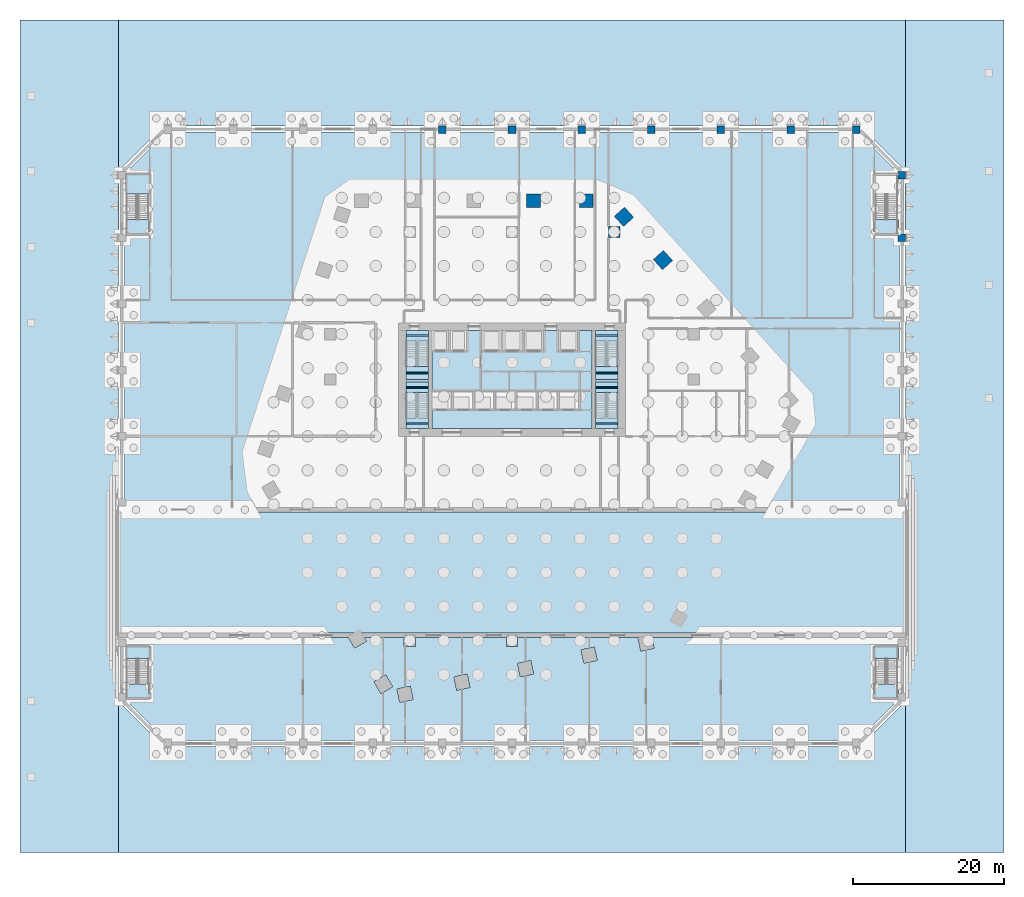
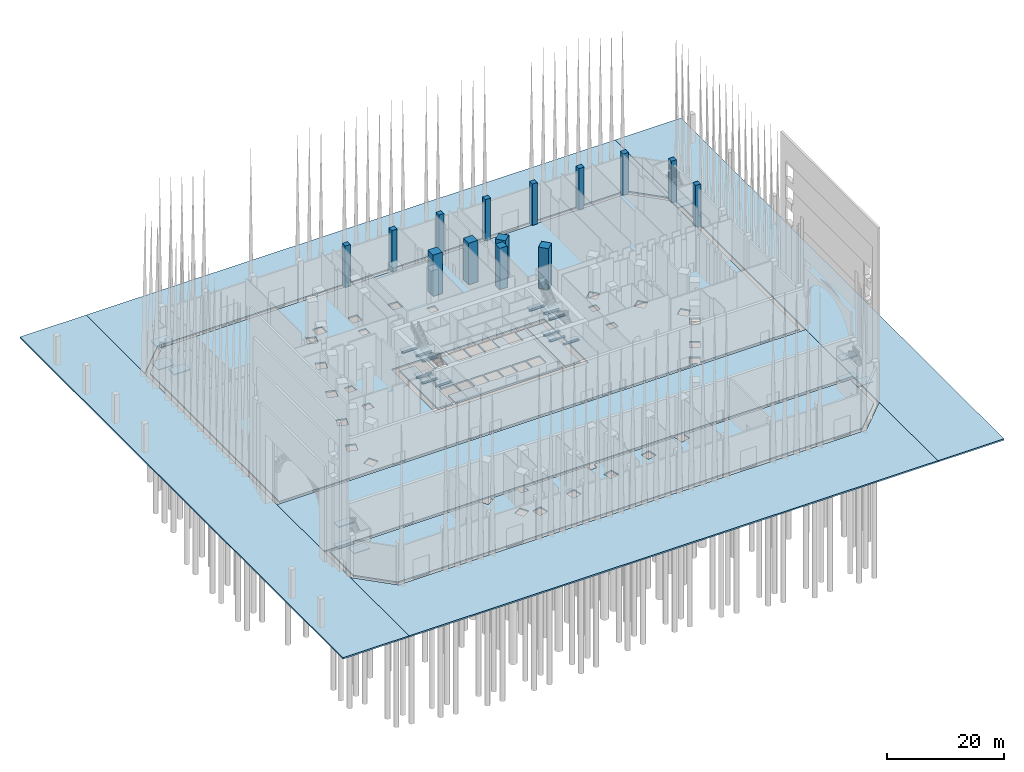
# One storey, part 6 of 32: 32 slabs, 14 columns, 12 beams, 8 elements without a shape of their own.
"""IFC4 building model written with IfcOpenShell, lengths in metres."""

from ifc_helpers import new_model, si_unit, direction, frame, origin, origin_2d, place, context, subcontext, project, spatial, polyline, rectangle, outline, extrude, material, layer, layer_set, material_profile, profile_set, type_object, element, aggregate, save


model = new_model("IFC4")

# Units and contexts
model_context = context("Model", 3, precision=1e-05, world=origin(), true_north=direction((0.0, 1.0)))
body_context = subcontext(model_context, "Body", "Model", "MODEL_VIEW")
ifc_project = project(units=[si_unit("LENGTHUNIT", "METRE"), si_unit("AREAUNIT", "SQUARE_METRE"), si_unit("VOLUMEUNIT", "CUBIC_METRE"), si_unit("PLANEANGLEUNIT", "RADIAN"), si_unit("MASSUNIT", "GRAM", prefix="KILO")], contexts=[model_context])

# Site, building, storey
site_placement = place(None, origin())
site = spatial("IfcSite", under=ifc_project, at=site_placement, CompositionType="ELEMENT")
building_placement = place(site_placement, origin())
building = spatial("IfcBuilding", under=site, at=building_placement, Name="Isthmus Gate Tower", CompositionType="ELEMENT")
storey_placement = place(building_placement, origin())
storey = spatial("IfcBuildingStorey", under=building, at=storey_placement, Name="L00", CompositionType="ELEMENT", Elevation=0.0)

# Columns
ifc_material_1 = material(Name="Concrete f'c 70 MPa", Category="concrete")
ifc_material_profile_1 = material_profile(ifc_material_1, rectangle(XDim=1.5, YDim=1.5, at=origin_2d()), Name="RC 1500X1500")
ifc_profile_set_1 = profile_set([ifc_material_profile_1], Name="Concrete f'c 70 MPa")
column_type_1 = type_object("IfcColumnType", Name="RC INTERIOR COLUMN 1500 X 1500", PredefinedType="COLUMN", material=ifc_profile_set_1)
column_placement = place(storey_placement, frame((13.5, 27.0, -0.300048828125), z_axis=(0.0, 0.0, 1.0), x_axis=(1.0, 0.0, 0.0)))
element("IfcColumn", 1, at=column_placement, inside=storey, type_object=column_type_1, Name="str-icol-L00-ICD5", PredefinedType="COLUMN", context=body_context, shape_type="SweptSolid", body=[
    extrude(rectangle(XDim=1.5, YDim=1.5, at=origin_2d()), origin(), (0.0, 0.0, 1.0), 8.900146484375),
])
ifc_material_2 = material(Name="Concrete f'c 70 MPa", Category="concrete")
ifc_material_profile_2 = material_profile(ifc_material_2, rectangle(XDim=1.0, YDim=1.0, at=origin_2d()), Name="RC 1000X1000")
ifc_profile_set_2 = profile_set([ifc_material_profile_2], Name="Concrete f'c 70 MPa")
column_type_2 = type_object("IfcColumnType", Name="RC PODIUM COLUMN 1000 X 1000", PredefinedType="COLUMN", material=ifc_profile_set_2)
for number, where, z_axis, x_axis, name in (
    (2, (51.5, 26.25, -0.300048828125), (0.0, 0.0, 1.0), (0.0, 1.0, 0.0), "str-pcol-L00-PC16"),
    (3, (51.5, 34.5, -0.300048828125), (0.0, 0.0, 1.0), (0.0, 1.0, 0.0), "str-pcol-L00-PC17"),
    (4, (45.5, 40.5, -0.300048828125), (0.0, 0.0, 1.0), (-1.0, 0.0, 0.0), "str-pcol-L00-PC18"),
    (5, (36.800048828125, 40.5, -0.300048828125), (0.0, 0.0, 1.0), (-1.0, 0.0, 0.0), "str-pcol-L00-PC19"),
    (6, (27.60009765625, 40.5, -0.300048828125), (0.0, 0.0, 1.0), (-1.0, 0.0, 0.0), "str-pcol-L00-PC20"),
    (7, (18.39990234375, 40.5, -0.300048828125), (0.0, 0.0, 1.0), (-1.0, 0.0, 0.0), "str-pcol-L00-PC21"),
    (8, (9.199951171875, 40.5, -0.300048828125), (0.0, 0.0, 1.0), (-1.0, 0.0, 0.0), "str-pcol-L00-PC22"),
    (9, (0.0, 40.5, -0.300048828125), (0.0, 0.0, 1.0), (-1.0, 0.0, 0.0), "str-pcol-L00-PC23"),
    (10, (-9.199951171875, 40.5, -0.300048828125), (0.0, 0.0, 1.0), (-1.0, 0.0, 0.0), "str-pcol-L00-PC24"),
):
    element("IfcColumn", number, at=place(storey_placement, frame(where, z_axis=z_axis, x_axis=x_axis)), inside=storey, type_object=column_type_2, Name=name, PredefinedType="COLUMN", context=body_context, shape_type="SweptSolid", body=[
        extrude(rectangle(XDim=1.0, YDim=1.0, at=origin_2d()), origin(), (0.0, 0.0, 1.0), 8.900146484375),
    ])
ifc_material_3 = material(Name="Concrete f'c 70 MPa", Category="concrete")
ifc_material_profile_3 = material_profile(ifc_material_3, rectangle(XDim=1.800048828125, YDim=1.800048828125, at=origin_2d()), Name="RC 1800X1800")
ifc_profile_set_3 = profile_set([ifc_material_profile_3], Name="Concrete f'c 70 MPa")
column_type_3 = type_object("IfcColumnType", Name="RC TUBE COLUMN 1800 X 1800", PredefinedType="COLUMN", material=ifc_profile_set_3)
for number, where, z_axis, x_axis, name in (
    (11, (9.8017578125, 31.10009765625, -0.300048828125), (0.0, 0.0, 1.0), (-1.0, 0.0, 0.0), "str-tcol-L00-T1N0"),
    (12, (2.832275390625, 31.10009765625, -0.300048828125), (0.0, 0.0, 1.0), (-1.0, 0.0, 0.0), "str-tcol-L00-T1N1"),
    (13, (19.943603515625, 23.283447265625, -0.300048828125), (0.0, 0.0, 1.0), (-0.669130606359, 0.743144825477, 0.0), "str-tcol-L00-T1NE3"),
    (14, (14.798583984375, 28.997802734375, -0.300048828125), (0.0, 0.0, 1.0), (-0.669130606359, 0.743144825477, 0.0), "str-tcol-L00-T1NE4"),
):
    element("IfcColumn", number, at=place(storey_placement, frame(where, z_axis=z_axis, x_axis=x_axis)), inside=storey, type_object=column_type_3, Name=name, PredefinedType="COLUMN", context=body_context, shape_type="SweptSolid", body=[
        extrude(rectangle(XDim=1.800048828125, YDim=1.800048828125, at=origin_2d()), origin(), (0.0, 0.0, 1.0), 8.900146484375),
    ])

# Beams
ifc_material_4 = material(Name="Concrete f'c 40 MPa", Category="concrete")
ifc_material_profile_4 = material_profile(ifc_material_4, rectangle(XDim=0.199951171875, YDim=0.300048828125, at=origin_2d()), Name="STAIR LANDING BEAM RC 200 X 300")
ifc_profile_set_4 = profile_set([ifc_material_profile_4], Name="Concrete f'c 40 MPa")
beam_type = type_object("IfcBeamType", Name="STAIR LANDING BEAM RC 200 X 300", PredefinedType="BEAM", material=ifc_profile_set_4)
for number, where, z_axis, x_axis, name in (
    (15, (-14.0, 8.3701171875, 1.89990234375), (1.0, 0.0, 0.0), (0.0, 1.0, 0.0), "L00 ST1 landing beam 1"),
    (16, (-14.0, 13.300048828125, 4.14990234375), (1.0, 0.0, 0.0), (0.0, 1.0, 0.0), "L00 ST1 landing beam 2"),
    (17, (-14.0, 8.3701171875, 6.39990234375), (1.0, 0.0, 0.0), (0.0, 1.0, 0.0), "L00 ST1 landing beam 3"),
    (18, (11.050048828125, 8.3701171875, 1.89990234375), (1.0, 0.0, 0.0), (0.0, 1.0, 0.0), "L00 ST2 landing beam 1"),
    (19, (11.050048828125, 13.300048828125, 4.14990234375), (1.0, 0.0, 0.0), (0.0, 1.0, 0.0), "L00 ST2 landing beam 2"),
    (20, (11.050048828125, 8.3701171875, 6.39990234375), (1.0, 0.0, 0.0), (0.0, 1.0, 0.0), "L00 ST2 landing beam 3"),
    (21, (-14.0, 6.47998046875, 1.89990234375), (1.0, 0.0, 0.0), (0.0, 1.0, 0.0), "L00 ST7 landing beam 1"),
    (22, (-14.0, 1.699951171875, 4.14990234375), (1.0, 0.0, 0.0), (0.0, 1.0, 0.0), "L00 ST7 landing beam 2"),
    (23, (-14.0, 6.47998046875, 6.39990234375), (1.0, 0.0, 0.0), (0.0, 1.0, 0.0), "L00 ST7 landing beam 3"),
    (24, (11.050048828125, 6.47998046875, 1.89990234375), (1.0, 0.0, 0.0), (0.0, 1.0, 0.0), "L00 ST8 landing beam 1"),
    (25, (11.050048828125, 1.699951171875, 4.14990234375), (1.0, 0.0, 0.0), (0.0, 1.0, 0.0), "L00 ST8 landing beam 2"),
    (26, (11.050048828125, 6.47998046875, 6.39990234375), (1.0, 0.0, 0.0), (0.0, 1.0, 0.0), "L00 ST8 landing beam 3"),
):
    element("IfcBeam", number, at=place(storey_placement, frame(where, z_axis=z_axis, x_axis=x_axis)), inside=storey, type_object=beam_type, Name=name, PredefinedType="BEAM", context=body_context, shape_type="SweptSolid", body=[
        extrude(rectangle(XDim=0.199951171875, YDim=0.300048828125, at=origin_2d()), origin(), (0.0, 0.0, 1.0), 2.949951171875),
    ])

# Slabs
ifc_material_5 = material(Name="Concrete f'c 40 MPa", Category="concrete")
ifc_layer_1 = layer(ifc_material_5, 0.300048828125)
ifc_layer_set_1 = layer_set([ifc_layer_1], Name="CORE FLOOR SLAB 300")
slab_type_1 = type_object("IfcSlabType", Name="CORE FLOOR SLAB 300", PredefinedType="FLOOR", material=ifc_layer_set_1)
slab_1_placement = place(storey_placement, frame((0.0, 0.0, -0.300048828125)))
element("IfcSlab", 27, at=slab_1_placement, inside=storey, type_object=slab_type_1, Name="L00 core floor", PredefinedType="FLOOR", context=body_context, shape_type="SweptSolid", body=[
    extrude(outline(polyline([(-14.0, 1.0), (-11.050048828125, 1.0), (-11.050048828125, 14.0), (-14.0, 14.0), (-14.0, 1.0)])), origin(), (0.0, 0.0, 1.0), 0.300048828125),
])
slab_2_placement = place(storey_placement, frame((0.0, 0.0, -0.300048828125)))
element("IfcSlab", 28, at=slab_2_placement, inside=storey, type_object=slab_type_1, Name="L00 core floor", PredefinedType="FLOOR", context=body_context, shape_type="SweptSolid", body=[
    extrude(outline(polyline([(10.550048828125, 14.0), (8.699951171875, 14.0), (8.699951171875, 11.300048828125), (6.14990234375, 11.300048828125), (6.14990234375, 14.0), (4.14990234375, 14.0), (4.14990234375, 11.300048828125), (1.60009765625, 11.300048828125), (1.60009765625, 14.0), (1.35009765625, 14.0), (1.35009765625, 11.300048828125), (-1.199951171875, 11.300048828125), (-1.199951171875, 14.0), (-1.449951171875, 14.0), (-1.449951171875, 11.300048828125), (-4.0, 11.300048828125), (-4.0, 14.0), (-6.0, 14.0), (-6.0, 11.300048828125), (-8.14990234375, 11.300048828125), (-8.14990234375, 14.0), (-8.39990234375, 14.0), (-8.39990234375, 11.300048828125), (-10.550048828125, 11.300048828125), (-10.550048828125, 5.89990234375), (-8.0, 5.89990234375), (-8.0, 3.60009765625), (-10.550048828125, 3.60009765625), (-10.550048828125, 1.0), (10.550048828125, 1.0), (10.550048828125, 14.0)]), holes=[polyline([(-5.199951171875, 5.89990234375), (-5.199951171875, 3.60009765625), (-7.75, 3.60009765625), (-7.75, 5.89990234375), (-5.199951171875, 5.89990234375)]), polyline([(-2.39990234375, 5.89990234375), (-2.39990234375, 3.60009765625), (-4.949951171875, 3.60009765625), (-4.949951171875, 5.89990234375), (-2.39990234375, 5.89990234375)]), polyline([(-2.14990234375, 5.89990234375), (0.39990234375, 5.89990234375), (0.39990234375, 3.60009765625), (-2.14990234375, 3.60009765625), (-2.14990234375, 5.89990234375)]), polyline([(3.199951171875, 5.89990234375), (3.199951171875, 3.60009765625), (0.64990234375, 3.60009765625), (0.64990234375, 5.89990234375), (3.199951171875, 5.89990234375)]), polyline([(6.0, 5.89990234375), (6.0, 3.60009765625), (3.449951171875, 3.60009765625), (3.449951171875, 5.89990234375), (6.0, 5.89990234375)]), polyline([(8.800048828125, 5.89990234375), (8.800048828125, 3.60009765625), (6.25, 3.60009765625), (6.25, 5.89990234375), (8.800048828125, 5.89990234375)])]), origin(), (0.0, 0.0, 1.0), 0.300048828125),
])
slab_3_placement = place(storey_placement, frame((0.0, 0.0, -0.300048828125)))
element("IfcSlab", 29, at=slab_3_placement, inside=storey, type_object=slab_type_1, Name="L00 core floor", PredefinedType="FLOOR", context=body_context, shape_type="SweptSolid", body=[
    extrude(outline(polyline([(11.050048828125, 1.0), (14.0, 1.0), (14.0, 14.0), (11.050048828125, 14.0), (11.050048828125, 1.0)])), origin(), (0.0, 0.0, 1.0), 0.300048828125),
])
ifc_material_6 = material(Name="Concrete f'c 40 MPa", Category="concrete")
ifc_layer_2 = layer(ifc_material_6, 0.300048828125)
ifc_layer_set_2 = layer_set([ifc_layer_2], Name="GROUND SLAB 300")
slab_type_2 = type_object("IfcSlabType", Name="GROUND SLAB 300", PredefinedType="BASESLAB", material=ifc_layer_set_2)
slab_4_placement = place(storey_placement, frame((0.0, 0.0, -0.300048828125)))
element("IfcSlab", 30, at=slab_4_placement, inside=storey, type_object=slab_type_2, Name="str-slab-L00-1", PredefinedType="BASESLAB", context=body_context, shape_type="SweptSolid", body=[
    extrude(outline(polyline([(-51.199951171875, 34.668701171875), (-45.668701171875, 40.199951171875), (45.668701171875, 40.199951171875), (51.199951171875, 34.668701171875), (51.199951171875, -9.39990234375), (31.523193359375, -9.39990234375), (32.319580078125, -8.0205078125), (30.760986328125, -7.12060546875), (29.86083984375, -8.679443359375), (31.10888671875, -9.39990234375), (-51.199951171875, -9.39990234375), (-51.199951171875, 34.668701171875)]), holes=[polyline([(-32.163818359375, -8.290771484375), (-30.60498046875, -7.390869140625), (-31.5048828125, -5.831787109375), (-33.063720703125, -6.73193359375), (-32.163818359375, -8.290771484375)]), polyline([(-33.08984375, -0.548828125), (-33.64599609375, -2.2607421875), (-31.93408203125, -2.817138671875), (-31.3779296875, -1.105224609375), (-33.08984375, -0.548828125)]), polyline([(-29.001953125, 6.207763671875), (-30.7138671875, 6.76416015625), (-31.27001953125, 5.052001953125), (-29.55810546875, 4.495849609375), (-29.001953125, 6.207763671875)]), polyline([(15.0, 0.0), (15.0, 15.0), (-15.0, 15.0), (-15.0, 0.0), (15.0, 0.0)]), polyline([(-24.75, 8.25), (-24.75, 6.75), (-23.25, 6.75), (-23.25, 8.25), (-24.75, 8.25)]), polyline([(-24.75, 12.75), (-23.25, 12.75), (-23.25, 14.25), (-24.75, 14.25), (-24.75, 12.75)]), polyline([(-28.0595703125, 14.93310546875), (-28.61572265625, 13.22119140625), (-26.90380859375, 12.664794921875), (-26.34765625, 14.376708984375), (-28.0595703125, 14.93310546875)]), polyline([(-25.4052734375, 23.10205078125), (-25.96142578125, 21.389892578125), (-24.24951171875, 20.833740234375), (-23.693359375, 22.545654296875), (-25.4052734375, 23.10205078125)]), polyline([(-14.25, 26.25), (-12.75, 26.25), (-12.75, 27.75), (-14.25, 27.75), (-14.25, 26.25)]), polyline([(-23.585205078125, 28.702880859375), (-21.873291015625, 28.146728515625), (-21.317138671875, 29.858642578125), (-23.029052734375, 30.4150390625), (-23.585205078125, 28.702880859375)]), polyline([(-18.976318359375, 32.0), (-20.776123046875, 32.0), (-20.776123046875, 30.199951171875), (-18.976318359375, 30.199951171875), (-18.976318359375, 32.0)]), polyline([(-12.006591796875, 32.0), (-13.806640625, 32.0), (-13.806640625, 30.199951171875), (-12.006591796875, 30.199951171875), (-12.006591796875, 32.0)]), polyline([(-4.13720703125, 30.199951171875), (-4.13720703125, 32.0), (-5.937255859375, 32.0), (-5.937255859375, 30.199951171875), (-4.13720703125, 30.199951171875)]), polyline([(34.6162109375, -4.04296875), (33.057373046875, -3.14306640625), (32.1572265625, -4.701904296875), (33.71630859375, -5.601806640625), (34.6162109375, -4.04296875)]), polyline([(35.64208984375, 1.333984375), (37.200927734375, 0.433837890625), (38.100830078125, 1.99267578125), (36.5419921875, 2.892578125), (35.64208984375, 1.333984375)]), polyline([(36.51708984375, 3.531982421875), (37.854736328125, 4.736328125), (36.650146484375, 6.073974609375), (35.3125, 4.869384765625), (36.51708984375, 3.531982421875)]), polyline([(23.25, 6.75), (24.75, 6.75), (24.75, 8.25), (23.25, 8.25), (23.25, 6.75)]), polyline([(31.505126953125, 11.788330078125), (30.16748046875, 10.583740234375), (31.371826171875, 9.24609375), (32.70947265625, 10.45068359375), (31.505126953125, 11.788330078125)]), polyline([(23.25, 12.75), (24.75, 12.75), (24.75, 14.25), (23.25, 14.25), (23.25, 12.75)]), polyline([(26.962158203125, 16.833740234375), (25.7578125, 18.17138671875), (24.419921875, 16.967041015625), (25.62451171875, 15.62939453125), (26.962158203125, 16.833740234375)]), polyline([(21.214599609375, 23.216796875), (20.01025390625, 24.554443359375), (18.672607421875, 23.35009765625), (19.877197265625, 22.012451171875), (21.214599609375, 23.216796875)]), polyline([(12.75, 26.25), (14.25, 26.25), (14.25, 27.75), (12.75, 27.75), (12.75, 26.25)]), polyline([(-0.75, 26.25), (0.75, 26.25), (0.75, 27.75), (-0.75, 27.75), (-0.75, 26.25)]), polyline([(14.864990234375, 30.268798828125), (13.52734375, 29.064453125), (14.73193359375, 27.726806640625), (16.069580078125, 28.93115234375), (14.864990234375, 30.268798828125)]), polyline([(10.701904296875, 30.199951171875), (10.701904296875, 32.0), (8.90185546875, 32.0), (8.90185546875, 30.199951171875), (10.701904296875, 30.199951171875)]), polyline([(3.732421875, 30.199951171875), (3.732421875, 32.0), (1.932373046875, 32.0), (1.932373046875, 30.199951171875), (3.732421875, 30.199951171875)])]), origin(), (0.0, 0.0, 1.0), 0.300048828125),
])
slab_5_placement = place(storey_placement, frame((0.0, 0.0, -0.300048828125)))
element("IfcSlab", 31, at=slab_5_placement, inside=storey, type_object=slab_type_2, Name="str-slab-L00-2", PredefinedType="BASESLAB", context=body_context, shape_type="SweptSolid", body=[
    extrude(outline(polyline([(-51.199951171875, -34.668701171875), (-51.199951171875, -26.60009765625), (-21.593017578125, -26.60009765625), (-20.79638671875, -27.9794921875), (-19.237548828125, -27.079345703125), (-19.514404296875, -26.60009765625), (-14.25, -26.60009765625), (-14.25, -27.75), (-12.75, -27.75), (-12.75, -26.60009765625), (-0.75, -26.60009765625), (-0.75, -27.75), (0.75, -27.75), (0.75, -26.60009765625), (16.74755859375, -26.60009765625), (16.64599609375, -26.62158203125), (17.020263671875, -28.382080078125), (18.781005859375, -28.008056640625), (18.481689453125, -26.60009765625), (51.199951171875, -26.60009765625), (51.199951171875, -34.668701171875), (45.668701171875, -40.199951171875), (-45.668701171875, -40.199951171875), (-51.199951171875, -34.668701171875)]), holes=[polyline([(-13.06494140625, -34.777099609375), (-13.439208984375, -33.016357421875), (-15.19970703125, -33.390625), (-14.82568359375, -35.1513671875), (-13.06494140625, -34.777099609375)]), polyline([(-17.32470703125, -33.99267578125), (-15.765869140625, -33.0927734375), (-16.666015625, -31.533935546875), (-18.224609375, -32.433837890625), (-17.32470703125, -33.99267578125)]), polyline([(-5.543701171875, -33.17822265625), (-5.917724609375, -31.417724609375), (-7.678466796875, -31.7919921875), (-7.30419921875, -33.552490234375), (-5.543701171875, -33.17822265625)]), polyline([(2.858154296875, -31.392578125), (2.48388671875, -29.6318359375), (0.72314453125, -30.006103515625), (1.097412109375, -31.7666015625), (2.858154296875, -31.392578125)]), polyline([(11.259765625, -29.606689453125), (10.885498046875, -27.845947265625), (9.124755859375, -28.22021484375), (9.4990234375, -29.98095703125), (11.259765625, -29.606689453125)])]), origin(), (0.0, 0.0, 1.0), 0.300048828125),
])
ifc_material_7 = material(Name="Concrete f'c 40 MPa", Category="concrete")
ifc_layer_3 = layer(ifc_material_7, 0.300048828125)
ifc_layer_set_3 = layer_set([ifc_layer_3], Name="PASSAGE PAVING SLAB 300")
slab_type_3 = type_object("IfcSlabType", Name="PASSAGE PAVING SLAB 300", PredefinedType="USERDEFINED", material=ifc_layer_set_3)
slab_6_placement = place(storey_placement, frame((0.0, 0.0, -0.300048828125)))
element("IfcSlab", 32, at=slab_6_placement, inside=storey, type_object=slab_type_3, Name="str-paving-L00-1", ObjectType="PAVING", PredefinedType="USERDEFINED", context=body_context, shape_type="SweptSolid", body=[
    extrude(outline(polyline([(52.0, -26.0), (52.0, -10.0), (-52.0, -10.0), (-52.0, -26.0), (52.0, -26.0)])), origin(), (0.0, 0.0, 1.0), 0.300048828125),
])

# Stair, slabs
ifc_material_8 = material(Name="Concrete f'c 40 MPa", Category="concrete")
stair_type_1 = type_object("IfcStairType", Name="Podium exit stair 1400 wide flights", PredefinedType="HALF_TURN_STAIR", material=ifc_material_8)
stair_1_placement = place(storey_placement, origin())
stair_1 = element("IfcStair", 33, at=stair_1_placement, inside=storey, type_object=stair_type_1, Name="L00 Podium Exit Stair ST3", PredefinedType="HALF_TURN_STAIR")
ifc_material_9 = material(Name="Concrete f'c 40 MPa", Category="concrete")
ifc_layer_4 = layer(ifc_material_9, 0.199951171875)
ifc_layer_set_4 = layer_set([ifc_layer_4], Name="Podium stair landing 200")
slab_type_4 = type_object("IfcSlabType", Name="Podium stair landing 200", PredefinedType="LANDING", material=ifc_layer_set_4)
slab_7_placement = place(storey_placement, frame((0.0, 0.0, 2.050048828125)))
slab_7 = element("IfcSlab", 34, at=slab_7_placement, type_object=slab_type_4, Name="ST3 landing 1", PredefinedType="LANDING", context=body_context, shape_type="SweptSolid", body=[
    extrude(outline(polyline([(-47.89990234375, -29.364990234375), (-47.89990234375, -27.72900390625), (-51.050048828125, -27.72900390625), (-51.050048828125, -29.364990234375), (-47.89990234375, -29.364990234375)])), origin(), (0.0, 0.0, 1.0), 0.199951171875),
])
slab_8_placement = place(storey_placement, frame((0.0, 0.0, 4.300048828125)))
slab_8 = element("IfcSlab", 35, at=slab_8_placement, type_object=slab_type_4, Name="ST3 landing 2", PredefinedType="LANDING", context=body_context, shape_type="SweptSolid", body=[
    extrude(outline(polyline([(-47.89990234375, -34.675048828125), (-47.89990234375, -32.72509765625), (-51.050048828125, -32.72509765625), (-51.050048828125, -34.675048828125), (-47.89990234375, -34.675048828125)])), origin(), (0.0, 0.0, 1.0), 0.199951171875),
])
slab_9_placement = place(storey_placement, frame((0.0, 0.0, 6.550048828125)))
slab_9 = element("IfcSlab", 36, at=slab_9_placement, type_object=slab_type_4, Name="ST3 landing 3", PredefinedType="LANDING", context=body_context, shape_type="SweptSolid", body=[
    extrude(outline(polyline([(-47.89990234375, -29.364990234375), (-47.89990234375, -27.72900390625), (-51.050048828125, -27.72900390625), (-51.050048828125, -29.364990234375), (-47.89990234375, -29.364990234375)])), origin(), (0.0, 0.0, 1.0), 0.199951171875),
])
aggregate(stair_1, [slab_7, slab_8, slab_9])

stair_2_placement = place(storey_placement, origin())
stair_2 = element("IfcStair", 37, at=stair_2_placement, inside=storey, type_object=stair_type_1, Name="L00 Podium Exit Stair ST4", PredefinedType="HALF_TURN_STAIR")
slab_10_placement = place(storey_placement, frame((0.0, 0.0, 2.050048828125)))
slab_10 = element("IfcSlab", 38, at=slab_10_placement, type_object=slab_type_4, Name="ST4 landing 1", PredefinedType="LANDING", context=body_context, shape_type="SweptSolid", body=[
    extrude(outline(polyline([(51.050048828125, -29.364990234375), (51.050048828125, -27.72900390625), (47.89990234375, -27.72900390625), (47.89990234375, -29.364990234375), (51.050048828125, -29.364990234375)])), origin(), (0.0, 0.0, 1.0), 0.199951171875),
])
slab_11_placement = place(storey_placement, frame((0.0, 0.0, 4.300048828125)))
slab_11 = element("IfcSlab", 39, at=slab_11_placement, type_object=slab_type_4, Name="ST4 landing 2", PredefinedType="LANDING", context=body_context, shape_type="SweptSolid", body=[
    extrude(outline(polyline([(51.050048828125, -34.675048828125), (51.050048828125, -32.72509765625), (47.89990234375, -32.72509765625), (47.89990234375, -34.675048828125), (51.050048828125, -34.675048828125)])), origin(), (0.0, 0.0, 1.0), 0.199951171875),
])
slab_12_placement = place(storey_placement, frame((0.0, 0.0, 6.550048828125)))
slab_12 = element("IfcSlab", 40, at=slab_12_placement, type_object=slab_type_4, Name="ST4 landing 3", PredefinedType="LANDING", context=body_context, shape_type="SweptSolid", body=[
    extrude(outline(polyline([(51.050048828125, -29.364990234375), (51.050048828125, -27.72900390625), (47.89990234375, -27.72900390625), (47.89990234375, -29.364990234375), (51.050048828125, -29.364990234375)])), origin(), (0.0, 0.0, 1.0), 0.199951171875),
])
aggregate(stair_2, [slab_10, slab_11, slab_12])

# Stair, slab
stair_3_placement = place(storey_placement, origin())
stair_3 = element("IfcStair", 41, at=stair_3_placement, inside=storey, type_object=stair_type_1, Name="L00 Podium Exit Stair ST5", PredefinedType="HALF_TURN_STAIR")
slab_13_placement = place(storey_placement, frame((0.0, 0.0, 4.300048828125)))
slab_13 = element("IfcSlab", 42, at=slab_13_placement, type_object=slab_type_4, Name="ST5 landing 2", PredefinedType="LANDING", context=body_context, shape_type="SweptSolid", body=[
    extrude(outline(polyline([(51.050048828125, 26.625), (51.050048828125, 28.625), (47.89990234375, 28.625), (47.89990234375, 26.625), (51.050048828125, 26.625)])), origin(), (0.0, 0.0, 1.0), 0.199951171875),
])
aggregate(stair_3, [slab_13])

# Stair, slabs
stair_4_placement = place(storey_placement, origin())
stair_4 = element("IfcStair", 43, at=stair_4_placement, inside=storey, type_object=stair_type_1, Name="L00 Podium Exit Stair ST6", PredefinedType="HALF_TURN_STAIR")
slab_14_placement = place(storey_placement, frame((0.0, 0.0, 2.050048828125)))
slab_14 = element("IfcSlab", 44, at=slab_14_placement, type_object=slab_type_4, Name="ST6 landing 1", PredefinedType="LANDING", context=body_context, shape_type="SweptSolid", body=[
    extrude(outline(polyline([(-47.89990234375, 31.985107421875), (-47.89990234375, 34.625), (-51.050048828125, 34.625), (-51.050048828125, 31.985107421875), (-47.89990234375, 31.985107421875)])), origin(), (0.0, 0.0, 1.0), 0.199951171875),
])
slab_15_placement = place(storey_placement, frame((0.0, 0.0, 4.300048828125)))
slab_15 = element("IfcSlab", 45, at=slab_15_placement, type_object=slab_type_4, Name="ST6 landing 2", PredefinedType="LANDING", context=body_context, shape_type="SweptSolid", body=[
    extrude(outline(polyline([(-47.89990234375, 26.625), (-47.89990234375, 28.625), (-51.050048828125, 28.625), (-51.050048828125, 26.625), (-47.89990234375, 26.625)])), origin(), (0.0, 0.0, 1.0), 0.199951171875),
])
slab_16_placement = place(storey_placement, frame((0.0, 0.0, 6.550048828125)))
slab_16 = element("IfcSlab", 46, at=slab_16_placement, type_object=slab_type_4, Name="ST6 landing 3", PredefinedType="LANDING", context=body_context, shape_type="SweptSolid", body=[
    extrude(outline(polyline([(-47.89990234375, 31.985107421875), (-47.89990234375, 34.625), (-51.050048828125, 34.625), (-51.050048828125, 31.985107421875), (-47.89990234375, 31.985107421875)])), origin(), (0.0, 0.0, 1.0), 0.199951171875),
])
aggregate(stair_4, [slab_14, slab_15, slab_16])

ifc_material_10 = material(Name="Concrete f'c 40 MPa", Category="concrete")
stair_type_2 = type_object("IfcStairType", Name="CORE STAIR 52 RISERS", PredefinedType="HALF_TURN_STAIR", material=ifc_material_10)
stair_5_placement = place(storey_placement, origin())
stair_5 = element("IfcStair", 47, at=stair_5_placement, inside=storey, type_object=stair_type_2, Name="L00 Exit Stair 1", PredefinedType="HALF_TURN_STAIR")
ifc_material_11 = material(Name="Concrete f'c 40 MPa", Category="concrete")
ifc_layer_5 = layer(ifc_material_11, 0.199951171875)
ifc_layer_set_5 = layer_set([ifc_layer_5])
slab_type_5 = type_object("IfcSlabType", Name="STAIR LANDING RC 200", PredefinedType="LANDING", material=ifc_layer_set_5)
slab_17_placement = place(storey_placement, frame((0.0, 0.0, 2.050048828125)))
slab_17 = element("IfcSlab", 48, at=slab_17_placement, type_object=slab_type_5, Name="ST1 landing 1", PredefinedType="LANDING", context=body_context, shape_type="SweptSolid", body=[
    extrude(outline(polyline([(-14.0, 9.239990234375), (-14.0, 7.5), (-11.050048828125, 7.5), (-11.050048828125, 9.239990234375), (-14.0, 9.239990234375)])), origin(), (0.0, 0.0, 1.0), 0.199951171875),
])
slab_18_placement = place(storey_placement, frame((0.0, 0.0, 4.300048828125)))
slab_18 = element("IfcSlab", 49, at=slab_18_placement, type_object=slab_type_5, Name="ST1 landing 2", PredefinedType="LANDING", context=body_context, shape_type="SweptSolid", body=[
    extrude(outline(polyline([(-14.0, 14.0), (-14.0, 12.60009765625), (-11.050048828125, 12.60009765625), (-11.050048828125, 14.0), (-14.0, 14.0)])), origin(), (0.0, 0.0, 1.0), 0.199951171875),
])
slab_19_placement = place(storey_placement, frame((0.0, 0.0, 6.550048828125)))
slab_19 = element("IfcSlab", 50, at=slab_19_placement, type_object=slab_type_5, Name="ST1 landing 3", PredefinedType="LANDING", context=body_context, shape_type="SweptSolid", body=[
    extrude(outline(polyline([(-14.0, 9.239990234375), (-14.0, 7.5), (-11.050048828125, 7.5), (-11.050048828125, 9.239990234375), (-14.0, 9.239990234375)])), origin(), (0.0, 0.0, 1.0), 0.199951171875),
])
aggregate(stair_5, [slab_17, slab_18, slab_19])

stair_6_placement = place(storey_placement, origin())
stair_6 = element("IfcStair", 51, at=stair_6_placement, inside=storey, type_object=stair_type_2, Name="L00 Exit Stair 2", PredefinedType="HALF_TURN_STAIR")
slab_20_placement = place(storey_placement, frame((0.0, 0.0, 2.050048828125)))
slab_20 = element("IfcSlab", 52, at=slab_20_placement, type_object=slab_type_5, Name="ST2 landing 1", PredefinedType="LANDING", context=body_context, shape_type="SweptSolid", body=[
    extrude(outline(polyline([(11.050048828125, 9.239990234375), (11.050048828125, 7.5), (14.0, 7.5), (14.0, 9.239990234375), (11.050048828125, 9.239990234375)])), origin(), (0.0, 0.0, 1.0), 0.199951171875),
])
slab_21_placement = place(storey_placement, frame((0.0, 0.0, 4.300048828125)))
slab_21 = element("IfcSlab", 53, at=slab_21_placement, type_object=slab_type_5, Name="ST2 landing 2", PredefinedType="LANDING", context=body_context, shape_type="SweptSolid", body=[
    extrude(outline(polyline([(11.050048828125, 14.0), (11.050048828125, 12.60009765625), (14.0, 12.60009765625), (14.0, 14.0), (11.050048828125, 14.0)])), origin(), (0.0, 0.0, 1.0), 0.199951171875),
])
slab_22_placement = place(storey_placement, frame((0.0, 0.0, 6.550048828125)))
slab_22 = element("IfcSlab", 54, at=slab_22_placement, type_object=slab_type_5, Name="ST2 landing 3", PredefinedType="LANDING", context=body_context, shape_type="SweptSolid", body=[
    extrude(outline(polyline([(11.050048828125, 9.239990234375), (11.050048828125, 7.5), (14.0, 7.5), (14.0, 9.239990234375), (11.050048828125, 9.239990234375)])), origin(), (0.0, 0.0, 1.0), 0.199951171875),
])
aggregate(stair_6, [slab_20, slab_21, slab_22])

stair_7_placement = place(storey_placement, origin())
stair_7 = element("IfcStair", 55, at=stair_7_placement, inside=storey, type_object=stair_type_2, Name="L00 Exit Stair 7", PredefinedType="HALF_TURN_STAIR")
slab_23_placement = place(storey_placement, frame((0.0, 0.0, 2.050048828125)))
slab_23 = element("IfcSlab", 56, at=slab_23_placement, type_object=slab_type_5, Name="ST7 landing 1", PredefinedType="LANDING", context=body_context, shape_type="SweptSolid", body=[
    extrude(outline(polyline([(-11.050048828125, 5.760009765625), (-11.050048828125, 7.199951171875), (-14.0, 7.199951171875), (-14.0, 5.760009765625), (-11.050048828125, 5.760009765625)])), origin(), (0.0, 0.0, 1.0), 0.199951171875),
])
slab_24_placement = place(storey_placement, frame((0.0, 0.0, 4.300048828125)))
slab_24 = element("IfcSlab", 57, at=slab_24_placement, type_object=slab_type_5, Name="ST7 landing 2", PredefinedType="LANDING", context=body_context, shape_type="SweptSolid", body=[
    extrude(outline(polyline([(-11.050048828125, 1.0), (-11.050048828125, 2.39990234375), (-14.0, 2.39990234375), (-14.0, 1.0), (-11.050048828125, 1.0)])), origin(), (0.0, 0.0, 1.0), 0.199951171875),
])
slab_25_placement = place(storey_placement, frame((0.0, 0.0, 6.550048828125)))
slab_25 = element("IfcSlab", 58, at=slab_25_placement, type_object=slab_type_5, Name="ST7 landing 3", PredefinedType="LANDING", context=body_context, shape_type="SweptSolid", body=[
    extrude(outline(polyline([(-11.050048828125, 5.760009765625), (-11.050048828125, 7.199951171875), (-14.0, 7.199951171875), (-14.0, 5.760009765625), (-11.050048828125, 5.760009765625)])), origin(), (0.0, 0.0, 1.0), 0.199951171875),
])
aggregate(stair_7, [slab_23, slab_24, slab_25])

stair_8_placement = place(storey_placement, origin())
stair_8 = element("IfcStair", 59, at=stair_8_placement, inside=storey, type_object=stair_type_2, Name="L00 Exit Stair 8", PredefinedType="HALF_TURN_STAIR")
slab_26_placement = place(storey_placement, frame((0.0, 0.0, 2.050048828125)))
slab_26 = element("IfcSlab", 60, at=slab_26_placement, type_object=slab_type_5, Name="ST8 landing 1", PredefinedType="LANDING", context=body_context, shape_type="SweptSolid", body=[
    extrude(outline(polyline([(14.0, 5.760009765625), (14.0, 7.199951171875), (11.050048828125, 7.199951171875), (11.050048828125, 5.760009765625), (14.0, 5.760009765625)])), origin(), (0.0, 0.0, 1.0), 0.199951171875),
])
slab_27_placement = place(storey_placement, frame((0.0, 0.0, 4.300048828125)))
slab_27 = element("IfcSlab", 61, at=slab_27_placement, type_object=slab_type_5, Name="ST8 landing 2", PredefinedType="LANDING", context=body_context, shape_type="SweptSolid", body=[
    extrude(outline(polyline([(14.0, 1.0), (14.0, 2.39990234375), (11.050048828125, 2.39990234375), (11.050048828125, 1.0), (14.0, 1.0)])), origin(), (0.0, 0.0, 1.0), 0.199951171875),
])
slab_28_placement = place(storey_placement, frame((0.0, 0.0, 6.550048828125)))
slab_28 = element("IfcSlab", 62, at=slab_28_placement, type_object=slab_type_5, Name="ST8 landing 3", PredefinedType="LANDING", context=body_context, shape_type="SweptSolid", body=[
    extrude(outline(polyline([(14.0, 5.760009765625), (14.0, 7.199951171875), (11.050048828125, 7.199951171875), (11.050048828125, 5.760009765625), (14.0, 5.760009765625)])), origin(), (0.0, 0.0, 1.0), 0.199951171875),
])
aggregate(stair_8, [slab_26, slab_27, slab_28])

# Slabs
ifc_material_12 = material(Name="Granite paving on concrete bed f'c 30 MPa", Category="masonry")
ifc_layer_6 = layer(ifc_material_12, 0.300048828125)
ifc_layer_set_6 = layer_set([ifc_layer_6], Name="Site granite paving slab 300")
slab_type_6 = type_object("IfcSlabType", Name="Site granite paving slab 300", PredefinedType="USERDEFINED", material=ifc_layer_set_6)
slab_29_placement = place(storey_placement, frame((0.0, 0.0, -0.300048828125)))
element("IfcSlab", 63, at=slab_29_placement, inside=storey, type_object=slab_type_6, Name="West Forecourt Paving", ObjectType="PAVING", PredefinedType="USERDEFINED", context=body_context, shape_type="SweptSolid", body=[
    extrude(outline(polyline([(-52.0, -55.0), (-52.0, 55.0), (-65.0, 55.0), (-65.0, -55.0), (-52.0, -55.0)])), origin(), (0.0, 0.0, 1.0), 0.300048828125),
])
slab_30_placement = place(storey_placement, frame((0.0, 0.0, -0.300048828125)))
element("IfcSlab", 64, at=slab_30_placement, inside=storey, type_object=slab_type_6, Name="East Forecourt Paving", ObjectType="PAVING", PredefinedType="USERDEFINED", context=body_context, shape_type="SweptSolid", body=[
    extrude(outline(polyline([(65.0, -55.0), (65.0, 55.0), (52.0, 55.0), (52.0, -55.0), (65.0, -55.0)])), origin(), (0.0, 0.0, 1.0), 0.300048828125),
])
slab_31_placement = place(storey_placement, frame((0.0, 0.0, -0.300048828125)))
element("IfcSlab", 65, at=slab_31_placement, inside=storey, type_object=slab_type_6, Name="North Service Court Paving", ObjectType="PAVING", PredefinedType="USERDEFINED", context=body_context, shape_type="SweptSolid", body=[
    extrude(outline(polyline([(-52.0, 55.0), (52.0, 55.0), (52.0, 35.0), (46.0, 41.0), (-46.0, 41.0), (-52.0, 35.0), (-52.0, 55.0)])), origin(), (0.0, 0.0, 1.0), 0.300048828125),
])
slab_32_placement = place(storey_placement, frame((0.0, 0.0, -0.300048828125)))
element("IfcSlab", 66, at=slab_32_placement, inside=storey, type_object=slab_type_6, Name="South Plaza Paving", ObjectType="PAVING", PredefinedType="USERDEFINED", context=body_context, shape_type="SweptSolid", body=[
    extrude(outline(polyline([(52.0, -55.0), (-52.0, -55.0), (-52.0, -35.0), (-46.0, -41.0), (46.0, -41.0), (52.0, -35.0), (52.0, -55.0)])), origin(), (0.0, 0.0, 1.0), 0.300048828125),
])

save(model, "model.ifc")
